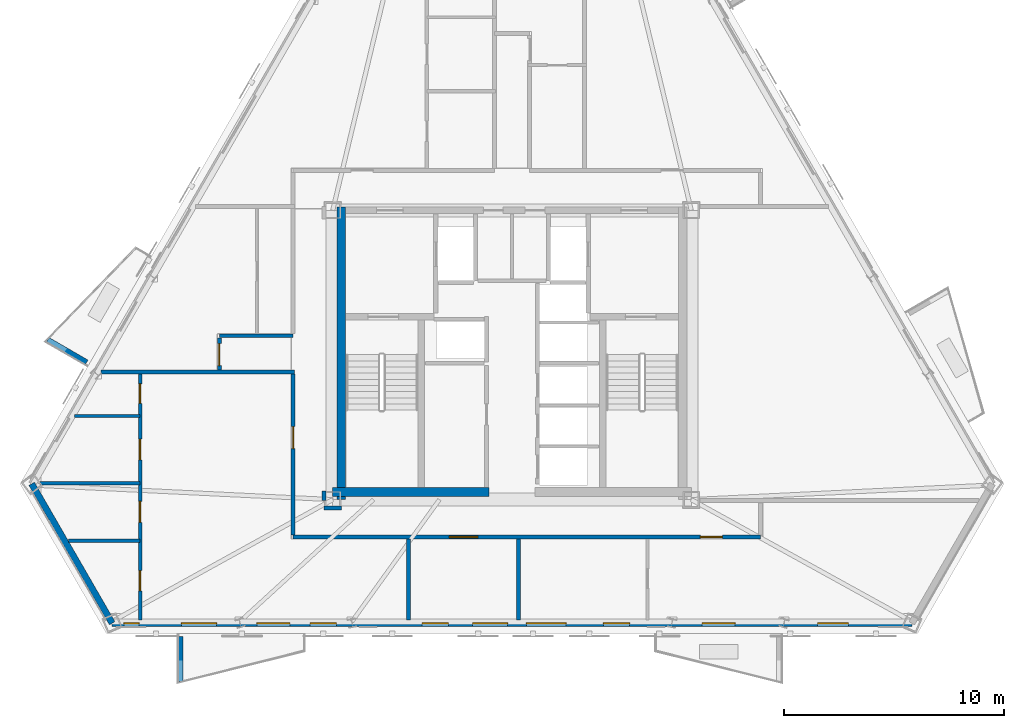
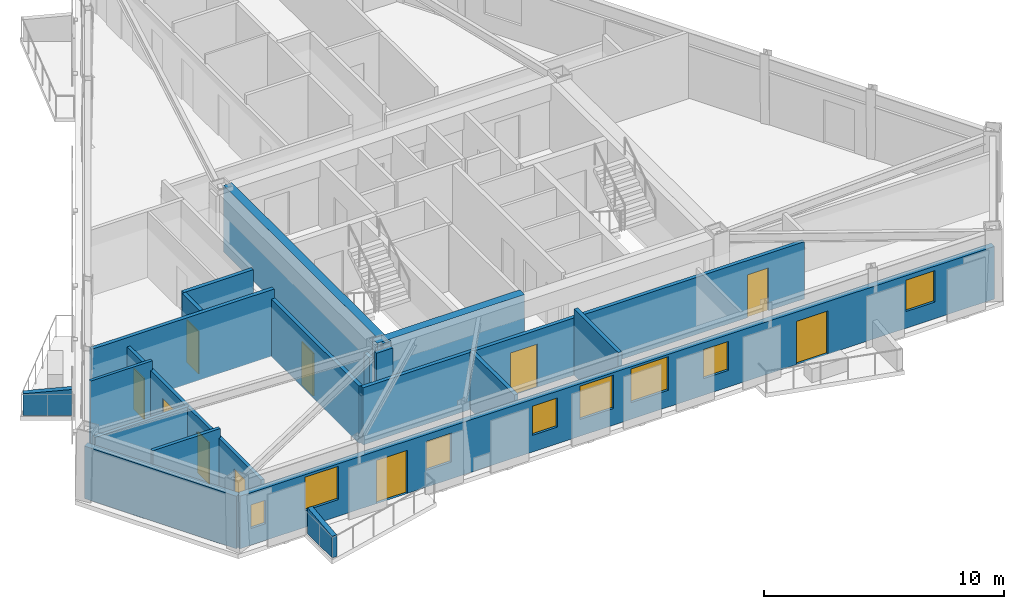
# One storey, part 2 of 9: 19 walls, 10 doors, 8 windows, 18 openings.
"""IFC4 building model written with IfcOpenShell, lengths in metres."""

from ifc_helpers import new_model, si_unit, direction, frame, frame_2d, origin, place, context, subcontext, project, spatial, polyline, rectangle, outline, extrude, material, layer, layer_set, type_object, element, fill, save


model = new_model("IFC4")

# Units and contexts
model_context = context("Model", 3, precision=1e-05, world=origin(), true_north=direction((0.0, 1.0)))
body_context = subcontext(model_context, "Body", "Model", "MODEL_VIEW")
ifc_project = project(units=[si_unit("LENGTHUNIT", "METRE"), si_unit("AREAUNIT", "SQUARE_METRE"), si_unit("VOLUMEUNIT", "CUBIC_METRE"), si_unit("PLANEANGLEUNIT", "RADIAN"), si_unit("MASSUNIT", "GRAM", prefix="KILO")], contexts=[model_context])

# Site, building, storey
site_placement = place(None, origin())
site = spatial("IfcSite", under=ifc_project, at=site_placement, CompositionType="ELEMENT")
building_placement = place(site_placement, origin())
building = spatial("IfcBuilding", under=site, at=building_placement, Name="Oramaril Tower", CompositionType="ELEMENT")
storey_placement = place(building_placement, frame((0.0, 0.0, 201.0)))
storey = spatial("IfcBuildingStorey", under=building, at=storey_placement, Name="L53", CompositionType="ELEMENT", Elevation=201.0)

# Wall
ifc_material_1 = material(Name="Warm Cream Limestone", Category="masonry")
ifc_layer_1 = layer(ifc_material_1, 0.2900390625)
ifc_layer_set_1 = layer_set([ifc_layer_1], Name="WT-EXT29")
wall_type_1 = type_object("IfcWallType", Name="WT-EXT29", PredefinedType="SOLIDWALL", material=ifc_layer_set_1)
wall_1_placement = place(storey_placement, frame((15.664794921875, 11.71875, 0.0), z_axis=(0.0, 0.0, 1.0), x_axis=(0.50001024923, -0.866019486308, 0.0)))
element("IfcWall", 1, at=wall_1_placement, inside=storey, type_object=wall_type_1, Name="L53 Tower Limestone Facade Wall 1M", PredefinedType="SOLIDWALL", context=body_context, shape_type="SweptSolid", body=[
    extrude(rectangle(XDim=7.318603515625, YDim=0.2900390625, at=frame_2d((3.6591796875, 0.0))), origin(), (0.0, 0.0, 1.0), 2.677001953125),
])

# Wall, openings, doors, windows
wall_2_placement = place(storey_placement, frame((19.32421875, 5.380615234375, 0.0), z_axis=(0.0, 0.0, 1.0), x_axis=(1.0, 0.0, 0.0)))
wall_2 = element("IfcWall", 2, at=wall_2_placement, inside=storey, type_object=wall_type_1, Name="L53 Tower Limestone Facade Wall 2M", PredefinedType="SOLIDWALL", context=body_context, shape_type="SweptSolid", body=[
    extrude(rectangle(XDim=36.3515625, YDim=0.2900390625, at=frame_2d((18.17578125, 0.0))), origin(), (0.0, 0.0, 1.0), 2.677001953125),
])
opening_1_placement = place(wall_2_placement, frame((6.579345703125, 0.0, 0.0)))
opening_1 = element("IfcOpeningElement", 3, at=opening_1_placement, cuts=wall_2, Name="Opening D-L53-BAL-S1", PredefinedType="OPENING", context=body_context, shape_type="SweptSolid", body=[
    extrude(rectangle(XDim=1.5, YDim=2.199951171875, at=frame_2d((0.75, 1.10009765625))), frame((0.0, 0.14501953125, 0.0), z_axis=(0.0, -1.0, 0.0), x_axis=(1.0, 0.0, 0.0)), (0.0, 0.0, 1.0), 0.2900390625),
])
opening_2_placement = place(wall_2_placement, frame((26.8173828125, 0.0, 0.0)))
opening_2 = element("IfcOpeningElement", 4, at=opening_2_placement, cuts=wall_2, Name="Opening D-L53-BAL-S2", PredefinedType="OPENING", context=body_context, shape_type="SweptSolid", body=[
    extrude(rectangle(XDim=1.5, YDim=2.199951171875, at=frame_2d((0.75, 1.10009765625))), frame((0.0, 0.14501953125, 0.0), z_axis=(0.0, -1.0, 0.0), x_axis=(1.0, 0.0, 0.0)), (0.0, 0.0, 1.0), 0.2900390625),
])
opening_3_placement = place(wall_2_placement, frame((14.08544921875, 0.0, 0.85009765625)))
opening_3 = element("IfcOpeningElement", 5, at=opening_3_placement, cuts=wall_2, Name="Opening WN-09", PredefinedType="OPENING", context=body_context, shape_type="SweptSolid", body=[
    extrude(rectangle(XDim=1.199951171875, YDim=1.47998046875, at=frame_2d((0.60009765625, 0.739990234375))), frame((0.0, 0.14501953125, 0.0), z_axis=(0.0, -1.0, 0.0), x_axis=(1.0, 0.0, 0.0)), (0.0, 0.0, 1.0), 0.2900390625),
])
opening_4_placement = place(wall_2_placement, frame((16.381103515625, 0.0, 0.85009765625)))
opening_4 = element("IfcOpeningElement", 6, at=opening_4_placement, cuts=wall_2, Name="Opening WN-07", PredefinedType="OPENING", context=body_context, shape_type="SweptSolid", body=[
    extrude(rectangle(XDim=1.60009765625, YDim=1.699951171875, at=frame_2d((0.800048828125, 0.85009765625))), frame((0.0, 0.14501953125, 0.0), z_axis=(0.0, -1.0, 0.0), x_axis=(1.0, 0.0, 0.0)), (0.0, 0.0, 1.0), 0.2900390625),
])
opening_5_placement = place(wall_2_placement, frame((32.071533203125, 0.0, 0.85009765625)))
opening_5 = element("IfcOpeningElement", 7, at=opening_5_placement, cuts=wall_2, Name="Opening WN-08", PredefinedType="OPENING", context=body_context, shape_type="SweptSolid", body=[
    extrude(rectangle(XDim=1.39990234375, YDim=1.60009765625, at=frame_2d((0.699951171875, 0.800048828125))), frame((0.0, 0.14501953125, 0.0), z_axis=(0.0, -1.0, 0.0), x_axis=(1.0, 0.0, 0.0)), (0.0, 0.0, 1.0), 0.2900390625),
])
opening_6_placement = place(wall_2_placement, frame((18.834228515625, 0.0, 0.85009765625)))
opening_6 = element("IfcOpeningElement", 8, at=opening_6_placement, cuts=wall_2, Name="Opening WN-06", PredefinedType="OPENING", context=body_context, shape_type="SweptSolid", body=[
    extrude(rectangle(XDim=1.800048828125, YDim=1.717041015625, at=frame_2d((0.89990234375, 0.8583984375))), frame((0.0, 0.14501953125, 0.0), z_axis=(0.0, -1.0, 0.0), x_axis=(1.0, 0.0, 0.0)), (0.0, 0.0, 1.0), 0.2900390625),
])
opening_7_placement = place(wall_2_placement, frame((22.32470703125, 0.0, 0.85009765625)))
opening_7 = element("IfcOpeningElement", 9, at=opening_7_placement, cuts=wall_2, Name="Opening WN-09", PredefinedType="OPENING", context=body_context, shape_type="SweptSolid", body=[
    extrude(rectangle(XDim=1.199951171875, YDim=1.47998046875, at=frame_2d((0.60009765625, 0.739990234375))), frame((0.0, 0.14501953125, 0.0), z_axis=(0.0, -1.0, 0.0), x_axis=(1.0, 0.0, 0.0)), (0.0, 0.0, 1.0), 0.2900390625),
])
opening_8_placement = place(wall_2_placement, frame((3.14453125, 0.0, 0.85009765625)))
opening_8 = element("IfcOpeningElement", 10, at=opening_8_placement, cuts=wall_2, Name="Opening WN-07", PredefinedType="OPENING", context=body_context, shape_type="SweptSolid", body=[
    extrude(rectangle(XDim=1.60009765625, YDim=1.699951171875, at=frame_2d((0.800048828125, 0.85009765625))), frame((0.0, 0.14501953125, 0.0), z_axis=(0.0, -1.0, 0.0), x_axis=(1.0, 0.0, 0.0)), (0.0, 0.0, 1.0), 0.2900390625),
])
opening_9_placement = place(wall_2_placement, frame((8.996826171875, 0.0, 0.85009765625)))
opening_9 = element("IfcOpeningElement", 11, at=opening_9_placement, cuts=wall_2, Name="Opening WN-09", PredefinedType="OPENING", context=body_context, shape_type="SweptSolid", body=[
    extrude(rectangle(XDim=1.199951171875, YDim=1.47998046875, at=frame_2d((0.60009765625, 0.739990234375))), frame((0.0, 0.14501953125, 0.0), z_axis=(0.0, -1.0, 0.0), x_axis=(1.0, 0.0, 0.0)), (0.0, 0.0, 1.0), 0.2900390625),
])
opening_10_placement = place(wall_2_placement, frame((0.530029296875, 0.0, 0.85009765625)))
opening_10 = element("IfcOpeningElement", 12, at=opening_10_placement, cuts=wall_2, Name="Opening WN-14", PredefinedType="OPENING", context=body_context, shape_type="SweptSolid", body=[
    extrude(rectangle(XDim=0.699951171875, YDim=1.199951171875, at=frame_2d((0.35009765625, 0.60009765625))), frame((0.0, 0.14501953125, 0.0), z_axis=(0.0, -1.0, 0.0), x_axis=(1.0, 0.0, 0.0)), (0.0, 0.0, 1.0), 0.2900390625),
])
ifc_material_2 = material(Name="Anodised Aluminium 6063-T6", Category="aluminium")
door_type_1 = type_object("IfcDoorType", Name="DT-BAL", OperationType="NOTDEFINED", PredefinedType="DOOR", material=ifc_material_2)
door_1_placement = place(opening_1_placement, origin())
door_1 = element("IfcDoor", 13, at=door_1_placement, inside=storey, type_object=door_type_1, Name="L53 Balcony Glazed Door L53-BAL-S1", OperationType="SINGLE_SWING_RIGHT", OverallHeight=2.199951171875, OverallWidth=1.5, PredefinedType="DOOR", context=body_context, shape_type="SweptSolid", body=[
    extrude(rectangle(XDim=1.5, YDim=2.199951171875, at=frame_2d((0.75, 1.10009765625))), frame((0.0, 0.02490234375, 0.0), z_axis=(0.0, -1.0, 0.0), x_axis=(1.0, 0.0, 0.0)), (0.0, 0.0, 1.0), 0.050048828125),
])
fill(opening_1, door_1)
door_2_placement = place(opening_2_placement, origin())
door_2 = element("IfcDoor", 14, at=door_2_placement, inside=storey, type_object=door_type_1, Name="L53 Balcony Glazed Door L53-BAL-S2", OperationType="SINGLE_SWING_LEFT", OverallHeight=2.199951171875, OverallWidth=1.5, PredefinedType="DOOR", context=body_context, shape_type="SweptSolid", body=[
    extrude(rectangle(XDim=1.5, YDim=2.199951171875, at=frame_2d((0.75, 1.10009765625))), frame((0.0, 0.02490234375, 0.0), z_axis=(0.0, -1.0, 0.0), x_axis=(1.0, 0.0, 0.0)), (0.0, 0.0, 1.0), 0.050048828125),
])
fill(opening_2, door_2)
ifc_material_3 = material(Name="Coastal Low-E Insulated Glass", Category="glass")
window_type_1 = type_object("IfcWindowType", Name="WNT-06", PartitioningType="SINGLE_PANEL", PredefinedType="WINDOW", material=ifc_material_3)
window_1_placement = place(opening_6_placement, origin())
window_1 = element("IfcWindow", 15, at=window_1_placement, inside=storey, type_object=window_type_1, Name="L53 Chicago Bay Window WN-06", OverallHeight=1.717041015625, OverallWidth=1.800048828125, PartitioningType="SINGLE_PANEL", PredefinedType="WINDOW", context=body_context, shape_type="SweptSolid", body=[
    extrude(rectangle(XDim=1.800048828125, YDim=1.717041015625, at=frame_2d((0.89990234375, 0.8583984375))), frame((0.0, 0.030029296875, 0.0), z_axis=(0.0, -1.0, 0.0), x_axis=(1.0, 0.0, 0.0)), (0.0, 0.0, 1.0), 0.06005859375),
])
fill(opening_6, window_1)
ifc_material_4 = material(Name="Coastal Low-E Insulated Glass", Category="glass")
window_type_2 = type_object("IfcWindowType", Name="WNT-07", PartitioningType="SINGLE_PANEL", PredefinedType="WINDOW", material=ifc_material_4)
window_2_placement = place(opening_4_placement, origin())
window_2 = element("IfcWindow", 16, at=window_2_placement, inside=storey, type_object=window_type_2, Name="L53 Chicago Bay Window WN-07", OverallHeight=1.699951171875, OverallWidth=1.60009765625, PartitioningType="SINGLE_PANEL", PredefinedType="WINDOW", context=body_context, shape_type="SweptSolid", body=[
    extrude(rectangle(XDim=1.60009765625, YDim=1.699951171875, at=frame_2d((0.800048828125, 0.85009765625))), frame((0.0, 0.030029296875, 0.0), z_axis=(0.0, -1.0, 0.0), x_axis=(1.0, 0.0, 0.0)), (0.0, 0.0, 1.0), 0.06005859375),
])
fill(opening_4, window_2)
window_3_placement = place(opening_8_placement, origin())
window_3 = element("IfcWindow", 17, at=window_3_placement, inside=storey, type_object=window_type_2, Name="L53 Chicago Bay Window WN-07", OverallHeight=1.699951171875, OverallWidth=1.60009765625, PartitioningType="SINGLE_PANEL", PredefinedType="WINDOW", context=body_context, shape_type="SweptSolid", body=[
    extrude(rectangle(XDim=1.60009765625, YDim=1.699951171875, at=frame_2d((0.800048828125, 0.85009765625))), frame((0.0, 0.030029296875, 0.0), z_axis=(0.0, -1.0, 0.0), x_axis=(1.0, 0.0, 0.0)), (0.0, 0.0, 1.0), 0.06005859375),
])
fill(opening_8, window_3)
ifc_material_5 = material(Name="Coastal Low-E Insulated Glass", Category="glass")
window_type_3 = type_object("IfcWindowType", Name="WNT-08", PartitioningType="SINGLE_PANEL", PredefinedType="WINDOW", material=ifc_material_5)
window_4_placement = place(opening_5_placement, origin())
window_4 = element("IfcWindow", 18, at=window_4_placement, inside=storey, type_object=window_type_3, Name="L53 Chicago Bay Window WN-08", OverallHeight=1.60009765625, OverallWidth=1.39990234375, PartitioningType="SINGLE_PANEL", PredefinedType="WINDOW", context=body_context, shape_type="SweptSolid", body=[
    extrude(rectangle(XDim=1.39990234375, YDim=1.60009765625, at=frame_2d((0.699951171875, 0.800048828125))), frame((0.0, 0.030029296875, 0.0), z_axis=(0.0, -1.0, 0.0), x_axis=(1.0, 0.0, 0.0)), (0.0, 0.0, 1.0), 0.06005859375),
])
fill(opening_5, window_4)
ifc_material_6 = material(Name="Coastal Low-E Insulated Glass", Category="glass")
window_type_4 = type_object("IfcWindowType", Name="WNT-09", PartitioningType="SINGLE_PANEL", PredefinedType="WINDOW", material=ifc_material_6)
window_5_placement = place(opening_3_placement, origin())
window_5 = element("IfcWindow", 19, at=window_5_placement, inside=storey, type_object=window_type_4, Name="L53 Chicago Bay Window WN-09", OverallHeight=1.47998046875, OverallWidth=1.199951171875, PartitioningType="SINGLE_PANEL", PredefinedType="WINDOW", context=body_context, shape_type="SweptSolid", body=[
    extrude(rectangle(XDim=1.199951171875, YDim=1.47998046875, at=frame_2d((0.60009765625, 0.739990234375))), frame((0.0, 0.030029296875, 0.0), z_axis=(0.0, -1.0, 0.0), x_axis=(1.0, 0.0, 0.0)), (0.0, 0.0, 1.0), 0.06005859375),
])
fill(opening_3, window_5)
window_6_placement = place(opening_7_placement, origin())
window_6 = element("IfcWindow", 20, at=window_6_placement, inside=storey, type_object=window_type_4, Name="L53 Chicago Bay Window WN-09", OverallHeight=1.47998046875, OverallWidth=1.199951171875, PartitioningType="SINGLE_PANEL", PredefinedType="WINDOW", context=body_context, shape_type="SweptSolid", body=[
    extrude(rectangle(XDim=1.199951171875, YDim=1.47998046875, at=frame_2d((0.60009765625, 0.739990234375))), frame((0.0, 0.030029296875, 0.0), z_axis=(0.0, -1.0, 0.0), x_axis=(1.0, 0.0, 0.0)), (0.0, 0.0, 1.0), 0.06005859375),
])
fill(opening_7, window_6)
window_7_placement = place(opening_9_placement, origin())
window_7 = element("IfcWindow", 21, at=window_7_placement, inside=storey, type_object=window_type_4, Name="L53 Chicago Bay Window WN-09", OverallHeight=1.47998046875, OverallWidth=1.199951171875, PartitioningType="SINGLE_PANEL", PredefinedType="WINDOW", context=body_context, shape_type="SweptSolid", body=[
    extrude(rectangle(XDim=1.199951171875, YDim=1.47998046875, at=frame_2d((0.60009765625, 0.739990234375))), frame((0.0, 0.030029296875, 0.0), z_axis=(0.0, -1.0, 0.0), x_axis=(1.0, 0.0, 0.0)), (0.0, 0.0, 1.0), 0.06005859375),
])
fill(opening_9, window_7)
ifc_material_7 = material(Name="Coastal Low-E Insulated Glass", Category="glass")
window_type_5 = type_object("IfcWindowType", Name="WNT-14", PartitioningType="SINGLE_PANEL", PredefinedType="WINDOW", material=ifc_material_7)
window_8_placement = place(opening_10_placement, origin())
window_8 = element("IfcWindow", 22, at=window_8_placement, inside=storey, type_object=window_type_5, Name="L53 Apartment Bedroom Window WN-14", OverallHeight=1.199951171875, OverallWidth=0.699951171875, PartitioningType="SINGLE_PANEL", PredefinedType="WINDOW", context=body_context, shape_type="SweptSolid", body=[
    extrude(rectangle(XDim=0.699951171875, YDim=1.199951171875, at=frame_2d((0.35009765625, 0.60009765625))), frame((0.0, 0.030029296875, 0.0), z_axis=(0.0, -1.0, 0.0), x_axis=(1.0, 0.0, 0.0)), (0.0, 0.0, 1.0), 0.06005859375),
])
fill(opening_10, window_8)

# Walls
ifc_material_8 = material(Name="Concrete C40/50", Category="concrete")
ifc_layer_2 = layer(ifc_material_8, 0.22998046875)
ifc_layer_set_2 = layer_set([ifc_layer_2], Name="WT-PRP23")
wall_type_2 = type_object("IfcWallType", Name="WT-PRP23", PredefinedType="PARAPET", material=ifc_layer_set_2)
for number, where, z_axis, x_axis, name in (
    (23, (22.4384765625, 4.78271484375, 0.0), (0.0, 0.0, 1.0), (0.0, -1.0, 0.0), "L53 Trapezoidal Balcony Frame Cheek L53-BAL-S1-L"),
    (24, (18.16650390625, 17.248046875, 0.0), (0.0, 0.0, 1.0), (-0.866012356593, 0.500022597718, 0.0), "L53 Trapezoidal Balcony Frame Cheek L53-BAL-NW2-R"),
):
    element("IfcWall", number, at=place(storey_placement, frame(where, z_axis=z_axis, x_axis=x_axis)), inside=storey, type_object=wall_type_2, Name=name, PredefinedType="PARAPET", context=body_context, shape_type="SweptSolid", body=[
        extrude(outline(polyline([(0.0, 0.0), (2.0419921875, 0.0), (2.0419921875, 1.10009765625), (0.0, 1.320068359375), (0.0, 0.0)])), frame((0.0, 0.114990234375, 0.0), z_axis=(0.0, -1.0, 0.0), x_axis=(1.0, 0.0, 0.0)), (0.0, 0.0, 1.0), 0.22998046875),
    ])
ifc_material_9 = material(Name="Acoustic Gypsum Board Partition")
ifc_layer_3 = layer(ifc_material_9, 0.139892578125)
ifc_layer_set_3 = layer_set([ifc_layer_3], Name="WT-PT14")
wall_type_3 = type_object("IfcWallType", Name="WT-PT14", PredefinedType="PARTITIONING", material=ifc_layer_set_3)
wall_3_placement = place(storey_placement, frame((17.61572265625, 14.800048828125, 0.0), z_axis=(0.0, 0.0, 1.0), x_axis=(1.0, 0.0, 0.0)))
element("IfcWall", 25, at=wall_3_placement, inside=storey, type_object=wall_type_3, Name="L53 Interior Partition PT-14", PredefinedType="PARTITIONING", context=body_context, shape_type="SweptSolid", body=[
    extrude(rectangle(XDim=2.9716796875, YDim=0.139892578125, at=frame_2d((1.48583984375, 0.0))), origin(), (0.0, 0.0, 1.0), 3.3798828125),
])
ifc_material_10 = material(Name="Acoustic Gypsum Board Partition")
ifc_layer_4 = layer(ifc_material_10, 0.159912109375)
ifc_layer_set_4 = layer_set([ifc_layer_4], Name="WT-PT16")
wall_type_4 = type_object("IfcWallType", Name="WT-PT16", PredefinedType="PARTITIONING", material=ifc_layer_set_4)
wall_4_placement = place(storey_placement, frame((17.331298828125, 9.1298828125, 0.0), z_axis=(0.0, 0.0, 1.0), x_axis=(1.0, 0.0, 0.0)))
element("IfcWall", 26, at=wall_4_placement, inside=storey, type_object=wall_type_4, Name="L53 Interior Partition PT-16", PredefinedType="PARTITIONING", context=body_context, shape_type="SweptSolid", body=[
    extrude(rectangle(XDim=3.256103515625, YDim=0.159912109375, at=frame_2d((1.6279296875, 0.0))), origin(), (0.0, 0.0, 1.0), 3.3798828125),
])
wall_5_placement = place(storey_placement, frame((16.05224609375, 11.75, 0.0), z_axis=(0.0, 0.0, 1.0), x_axis=(1.0, 0.0, 0.0)))
element("IfcWall", 27, at=wall_5_placement, inside=storey, type_object=wall_type_4, Name="L53 Interior Partition PT-16", PredefinedType="PARTITIONING", context=body_context, shape_type="SweptSolid", body=[
    extrude(rectangle(XDim=4.53515625, YDim=0.159912109375, at=frame_2d((2.267578125, 0.0))), origin(), (0.0, 0.0, 1.0), 2.9130859375),
])

# Wall, openings, doors
wall_6_placement = place(storey_placement, frame((20.590087890625, 5.52978515625, 0.0), z_axis=(0.0, 0.0, 1.0), x_axis=(0.0, 1.0, 0.0)))
wall_6 = element("IfcWall", 28, at=wall_6_placement, inside=storey, type_object=wall_type_4, Name="L53 Interior Partition PT-16", PredefinedType="PARTITIONING", context=body_context, shape_type="SweptSolid", body=[
    extrude(rectangle(XDim=11.17626953125, YDim=0.159912109375, at=frame_2d((5.588134765625, 0.0))), origin(), (0.0, 0.0, 1.0), 2.9130859375),
])
opening_11_placement = place(wall_6_placement, frame((1.32470703125, 0.0, 0.0)))
opening_11 = element("IfcOpeningElement", 29, at=opening_11_placement, cuts=wall_6, Name="Opening D-L53-07", PredefinedType="OPENING", context=body_context, shape_type="SweptSolid", body=[
    extrude(rectangle(XDim=0.919921875, YDim=2.1201171875, at=frame_2d((0.4599609375, 1.06005859375))), frame((0.0, 0.080078125, 0.0), z_axis=(0.0, -1.0, 0.0), x_axis=(1.0, 0.0, 0.0)), (0.0, 0.0, 1.0), 0.159912109375),
])
opening_12_placement = place(wall_6_placement, frame((4.4365234375, 0.0, 0.0)))
opening_12 = element("IfcOpeningElement", 30, at=opening_12_placement, cuts=wall_6, Name="Opening D-L53-08", PredefinedType="OPENING", context=body_context, shape_type="SweptSolid", body=[
    extrude(rectangle(XDim=0.949951171875, YDim=2.10009765625, at=frame_2d((0.47509765625, 1.050048828125))), frame((0.0, 0.080078125, 0.0), z_axis=(0.0, -1.0, 0.0), x_axis=(1.0, 0.0, 0.0)), (0.0, 0.0, 1.0), 0.159912109375),
])
opening_13_placement = place(wall_6_placement, frame((7.27490234375, 0.0, 0.0)))
opening_13 = element("IfcOpeningElement", 31, at=opening_13_placement, cuts=wall_6, Name="Opening D-L53-09", PredefinedType="OPENING", context=body_context, shape_type="SweptSolid", body=[
    extrude(rectangle(XDim=0.949951171875, YDim=2.10009765625, at=frame_2d((0.47509765625, 1.050048828125))), frame((0.0, 0.080078125, 0.0), z_axis=(0.0, -1.0, 0.0), x_axis=(1.0, 0.0, 0.0)), (0.0, 0.0, 1.0), 0.159912109375),
])
opening_14_placement = place(wall_6_placement, frame((9.84765625, 0.0, 0.0)))
opening_14 = element("IfcOpeningElement", 32, at=opening_14_placement, cuts=wall_6, Name="Opening D-L53-10", PredefinedType="OPENING", context=body_context, shape_type="SweptSolid", body=[
    extrude(rectangle(XDim=0.8798828125, YDim=2.080078125, at=frame_2d((0.43994140625, 1.0400390625))), frame((0.0, 0.080078125, 0.0), z_axis=(0.0, -1.0, 0.0), x_axis=(1.0, 0.0, 0.0)), (0.0, 0.0, 1.0), 0.159912109375),
])
ifc_material_11 = material(Name="FSC Brazilian Freijo Hardwood", Category="wood")
door_type_2 = type_object("IfcDoorType", Name="DT-BATH", OperationType="NOTDEFINED", PredefinedType="DOOR", material=ifc_material_11)
door_3_placement = place(opening_14_placement, origin())
door_3 = element("IfcDoor", 33, at=door_3_placement, inside=storey, type_object=door_type_2, Name="L53 Flat L53-U2 Bathroom Door D-L53-10", OperationType="SINGLE_SWING_RIGHT", OverallHeight=2.080078125, OverallWidth=0.8798828125, PredefinedType="DOOR", context=body_context, shape_type="SweptSolid", body=[
    extrude(rectangle(XDim=0.8798828125, YDim=2.080078125, at=frame_2d((0.43994140625, 1.0400390625))), frame((0.0, 0.02490234375, 0.0), z_axis=(0.0, -1.0, 0.0), x_axis=(1.0, 0.0, 0.0)), (0.0, 0.0, 1.0), 0.050048828125),
])
fill(opening_14, door_3)
ifc_material_12 = material(Name="FSC Brazilian Freijo Hardwood", Category="wood")
door_type_3 = type_object("IfcDoorType", Name="DT-BED", OperationType="NOTDEFINED", PredefinedType="DOOR", material=ifc_material_12)
door_4_placement = place(opening_11_placement, origin())
door_4 = element("IfcDoor", 34, at=door_4_placement, inside=storey, type_object=door_type_3, Name="L53 Flat L53-U2 Master Bedroom Door D-L53-07", OperationType="SINGLE_SWING_LEFT", OverallHeight=2.1201171875, OverallWidth=0.919921875, PredefinedType="DOOR", context=body_context, shape_type="SweptSolid", body=[
    extrude(rectangle(XDim=0.919921875, YDim=2.1201171875, at=frame_2d((0.4599609375, 1.06005859375))), frame((0.0, 0.02490234375, 0.0), z_axis=(0.0, -1.0, 0.0), x_axis=(1.0, 0.0, 0.0)), (0.0, 0.0, 1.0), 0.050048828125),
])
fill(opening_11, door_4)
ifc_material_13 = material(Name="FSC Brazilian Freijo Hardwood", Category="wood")
door_type_4 = type_object("IfcDoorType", Name="DT-STDY", OperationType="NOTDEFINED", PredefinedType="DOOR", material=ifc_material_13)
door_5_placement = place(opening_12_placement, origin())
door_5 = element("IfcDoor", 35, at=door_5_placement, inside=storey, type_object=door_type_4, Name="L53 Flat L53-U2 Dining Room Door D-L53-08", OperationType="SINGLE_SWING_RIGHT", OverallHeight=2.10009765625, OverallWidth=0.949951171875, PredefinedType="DOOR", context=body_context, shape_type="SweptSolid", body=[
    extrude(rectangle(XDim=0.949951171875, YDim=2.10009765625, at=frame_2d((0.47509765625, 1.050048828125))), frame((0.0, 0.02490234375, 0.0), z_axis=(0.0, -1.0, 0.0), x_axis=(1.0, 0.0, 0.0)), (0.0, 0.0, 1.0), 0.050048828125),
])
fill(opening_12, door_5)
door_6_placement = place(opening_13_placement, origin())
door_6 = element("IfcDoor", 36, at=door_6_placement, inside=storey, type_object=door_type_4, Name="L53 Flat L53-U2 Kitchen Door D-L53-09", OperationType="SINGLE_SWING_LEFT", OverallHeight=2.10009765625, OverallWidth=0.949951171875, PredefinedType="DOOR", context=body_context, shape_type="SweptSolid", body=[
    extrude(rectangle(XDim=0.949951171875, YDim=2.10009765625, at=frame_2d((0.47509765625, 1.050048828125))), frame((0.0, 0.02490234375, 0.0), z_axis=(0.0, -1.0, 0.0), x_axis=(1.0, 0.0, 0.0)), (0.0, 0.0, 1.0), 0.050048828125),
])
fill(opening_13, door_6)

ifc_material_14 = material(Name="Autoclaved Cellular Concrete Block", Category="concrete")
ifc_layer_5 = layer(ifc_material_14, 0.179931640625)
ifc_layer_set_5 = layer_set([ifc_layer_5], Name="WT-PT18")
wall_type_5 = type_object("IfcWallType", Name="WT-PT18", PredefinedType="PARTITIONING", material=ifc_layer_set_5)
wall_7_placement = place(storey_placement, frame((27.550048828125, 9.300048828125, 0.0), z_axis=(0.0, 0.0, 1.0), x_axis=(1.0, 0.0, 0.0)))
wall_7 = element("IfcWall", 37, at=wall_7_placement, inside=storey, type_object=wall_type_5, Name="L53 Interior Partition PT-18", PredefinedType="PARTITIONING", context=body_context, shape_type="SweptSolid", body=[
    extrude(rectangle(XDim=21.25, YDim=0.179931640625, at=frame_2d((10.625, 0.0))), origin(), (0.0, 0.0, 1.0), 2.9130859375),
])
opening_15_placement = place(wall_7_placement, frame((7.10009765625, 0.0, 0.0)))
opening_15 = element("IfcOpeningElement", 38, at=opening_15_placement, cuts=wall_7, Name="Opening D-L53-01", PredefinedType="OPENING", context=body_context, shape_type="SweptSolid", body=[
    extrude(rectangle(XDim=1.300048828125, YDim=2.199951171875, at=frame_2d((0.64990234375, 1.10009765625))), frame((0.0, 0.08984375, 0.0), z_axis=(0.0, -1.0, 0.0), x_axis=(1.0, 0.0, 0.0)), (0.0, 0.0, 1.0), 0.179931640625),
])
opening_16_placement = place(wall_7_placement, frame((18.51904296875, 0.0, 0.0)))
opening_16 = element("IfcOpeningElement", 39, at=opening_16_placement, cuts=wall_7, Name="Opening D-L53-02", PredefinedType="OPENING", context=body_context, shape_type="SweptSolid", body=[
    extrude(rectangle(XDim=1.0, YDim=2.179931640625, at=frame_2d((0.5, 1.08984375))), frame((0.0, 0.08984375, 0.0), z_axis=(0.0, -1.0, 0.0), x_axis=(1.0, 0.0, 0.0)), (0.0, 0.0, 1.0), 0.179931640625),
])
ifc_material_15 = material(Name="FSC Brazilian Freijo Hardwood", Category="wood")
door_type_5 = type_object("IfcDoorType", Name="DT-APT", OperationType="NOTDEFINED", PredefinedType="DOOR", material=ifc_material_15)
door_7_placement = place(opening_16_placement, origin())
door_7 = element("IfcDoor", 40, at=door_7_placement, inside=storey, type_object=door_type_5, Name="L53 Flat L53-U1 Kitchen and Studio Apartment Door D-L53-02", OperationType="SINGLE_SWING_RIGHT", OverallHeight=2.179931640625, OverallWidth=1.0, PredefinedType="DOOR", context=body_context, shape_type="SweptSolid", body=[
    extrude(rectangle(XDim=1.0, YDim=2.179931640625, at=frame_2d((0.5, 1.08984375))), frame((0.0, 0.02490234375, 0.0), z_axis=(0.0, -1.0, 0.0), x_axis=(1.0, 0.0, 0.0)), (0.0, 0.0, 1.0), 0.050048828125),
])
fill(opening_16, door_7)
ifc_material_16 = material(Name="FSC Brazilian Freijo Hardwood", Category="wood")
door_type_6 = type_object("IfcDoorType", Name="DT-COM", OperationType="NOTDEFINED", PredefinedType="DOOR", material=ifc_material_16)
door_8_placement = place(opening_15_placement, origin())
door_8 = element("IfcDoor", 41, at=door_8_placement, inside=storey, type_object=door_type_6, Name="L53 L53 Residents Floor Meeting Suite Door D-L53-01", OperationType="SINGLE_SWING_LEFT", OverallHeight=2.199951171875, OverallWidth=1.300048828125, PredefinedType="DOOR", context=body_context, shape_type="SweptSolid", body=[
    extrude(rectangle(XDim=1.300048828125, YDim=2.199951171875, at=frame_2d((0.64990234375, 1.10009765625))), frame((0.0, 0.02490234375, 0.0), z_axis=(0.0, -1.0, 0.0), x_axis=(1.0, 0.0, 0.0)), (0.0, 0.0, 1.0), 0.050048828125),
])
fill(opening_15, door_8)

# Walls
wall_8_placement = place(storey_placement, frame((28.9599609375, 10.610107421875, 0.0), z_axis=(0.0, 0.0, 1.0), x_axis=(1.0, 0.0, 0.0)))
element("IfcWall", 42, at=wall_8_placement, inside=storey, type_object=wall_type_5, Name="L53 Interior Partition PT-18", PredefinedType="PARTITIONING", context=body_context, shape_type="SweptSolid", body=[
    extrude(rectangle(XDim=0.780029296875, YDim=0.179931640625, at=frame_2d((0.39013671875, 0.0))), origin(), (0.0, 0.0, 1.0), 3.3798828125),
])
wall_9_placement = place(storey_placement, frame((18.8056640625, 16.800048828125, 0.0), z_axis=(0.0, 0.0, 1.0), x_axis=(1.0, 0.0, 0.0)))
element("IfcWall", 43, at=wall_9_placement, inside=storey, type_object=wall_type_5, Name="L53 Interior Partition PT-18", PredefinedType="PARTITIONING", context=body_context, shape_type="SweptSolid", body=[
    extrude(rectangle(XDim=8.804443359375, YDim=0.179931640625, at=frame_2d((4.40234375, 0.0))), origin(), (0.0, 0.0, 1.0), 3.3798828125),
])
wall_10_placement = place(storey_placement, frame((24.199951171875, 18.449951171875, 0.0), z_axis=(0.0, 0.0, 1.0), x_axis=(1.0, 0.0, 0.0)))
element("IfcWall", 44, at=wall_10_placement, inside=storey, type_object=wall_type_5, Name="L53 Interior Partition PT-18", PredefinedType="PARTITIONING", context=body_context, shape_type="SweptSolid", body=[
    extrude(rectangle(XDim=3.35009765625, YDim=0.179931640625, at=frame_2d((1.675048828125, 0.0))), origin(), (0.0, 0.0, 1.0), 3.3798828125),
])

# Wall, opening, door
wall_11_placement = place(storey_placement, frame((24.199951171875, 16.89404296875, 0.0), z_axis=(0.0, 0.0, 1.0), x_axis=(0.0, 1.0, 0.0)))
wall_11 = element("IfcWall", 45, at=wall_11_placement, inside=storey, type_object=wall_type_5, Name="L53 Interior Partition PT-18", PredefinedType="PARTITIONING", context=body_context, shape_type="SweptSolid", body=[
    extrude(rectangle(XDim=1.4619140625, YDim=0.179931640625, at=frame_2d((0.73095703125, 0.0))), origin(), (0.0, 0.0, 1.0), 3.3798828125),
])
opening_17_placement = place(wall_11_placement, frame((0.20263671875, 0.0, 0.0)))
opening_17 = element("IfcOpeningElement", 46, at=opening_17_placement, cuts=wall_11, Name="Opening D-L53-11", PredefinedType="OPENING", context=body_context, shape_type="SweptSolid", body=[
    extrude(rectangle(XDim=1.0, YDim=2.179931640625, at=frame_2d((0.5, 1.08984375))), frame((0.0, 0.08984375, 0.0), z_axis=(0.0, -1.0, 0.0), x_axis=(1.0, 0.0, 0.0)), (0.0, 0.0, 1.0), 0.179931640625),
])
door_9_placement = place(opening_17_placement, origin())
door_9 = element("IfcDoor", 47, at=door_9_placement, inside=storey, type_object=door_type_5, Name="L53 Flat L53-U3 Kitchen and Studio Apartment Door D-L53-11", OperationType="SINGLE_SWING_LEFT", OverallHeight=2.179931640625, OverallWidth=1.0, PredefinedType="DOOR", context=body_context, shape_type="SweptSolid", body=[
    extrude(rectangle(XDim=1.0, YDim=2.179931640625, at=frame_2d((0.5, 1.08984375))), frame((0.0, 0.02490234375, 0.0), z_axis=(0.0, -1.0, 0.0), x_axis=(1.0, 0.0, 0.0)), (0.0, 0.0, 1.0), 0.050048828125),
])
fill(opening_17, door_9)

wall_12_placement = place(storey_placement, frame((27.550048828125, 9.39404296875, 0.0), z_axis=(0.0, 0.0, 1.0), x_axis=(0.0, 1.0, 0.0)))
wall_12 = element("IfcWall", 48, at=wall_12_placement, inside=storey, type_object=wall_type_5, Name="L53 Interior Partition PT-18", PredefinedType="PARTITIONING", context=body_context, shape_type="SweptSolid", body=[
    extrude(rectangle(XDim=7.31201171875, YDim=0.179931640625, at=frame_2d((3.656005859375, 0.0))), origin(), (0.0, 0.0, 1.0), 2.9130859375),
])
opening_18_placement = place(wall_12_placement, frame((3.927490234375, 0.0, 0.0)))
opening_18 = element("IfcOpeningElement", 49, at=opening_18_placement, cuts=wall_12, Name="Opening D-L53-13", PredefinedType="OPENING", context=body_context, shape_type="SweptSolid", body=[
    extrude(rectangle(XDim=1.0, YDim=2.179931640625, at=frame_2d((0.5, 1.08984375))), frame((0.0, 0.08984375, 0.0), z_axis=(0.0, -1.0, 0.0), x_axis=(1.0, 0.0, 0.0)), (0.0, 0.0, 1.0), 0.179931640625),
])
door_10_placement = place(opening_18_placement, origin())
door_10 = element("IfcDoor", 50, at=door_10_placement, inside=storey, type_object=door_type_5, Name="L53 Flat L53-U2 Penthouse Living and Dining Room Door D-L53-13", OperationType="SINGLE_SWING_LEFT", OverallHeight=2.179931640625, OverallWidth=1.0, PredefinedType="DOOR", context=body_context, shape_type="SweptSolid", body=[
    extrude(rectangle(XDim=1.0, YDim=2.179931640625, at=frame_2d((0.5, 1.08984375))), frame((0.0, 0.02490234375, 0.0), z_axis=(0.0, -1.0, 0.0), x_axis=(1.0, 0.0, 0.0)), (0.0, 0.0, 1.0), 0.050048828125),
])
fill(opening_18, door_10)

# Walls
wall_13_placement = place(storey_placement, frame((28.949951171875, 10.949951171875, 0.0), z_axis=(0.0, 0.0, 1.0), x_axis=(0.0, 1.0, 0.0)))
element("IfcWall", 51, at=wall_13_placement, inside=storey, type_object=wall_type_5, Name="L53 Interior Partition PT-18", PredefinedType="PARTITIONING", context=body_context, shape_type="SweptSolid", body=[
    extrude(rectangle(XDim=0.445068359375, YDim=0.179931640625, at=frame_2d((0.22265625, 0.0))), origin(), (0.0, 0.0, 1.0), 2.9130859375),
])
wall_14_placement = place(storey_placement, frame((32.800048828125, 5.52978515625, 0.0), z_axis=(0.0, 0.0, 1.0), x_axis=(0.0, 1.0, 0.0)))
element("IfcWall", 52, at=wall_14_placement, inside=storey, type_object=wall_type_5, Name="L53 Interior Partition PT-18", PredefinedType="PARTITIONING", context=body_context, shape_type="SweptSolid", body=[
    extrude(rectangle(XDim=3.67626953125, YDim=0.179931640625, at=frame_2d((1.838134765625, 0.0))), origin(), (0.0, 0.0, 1.0), 2.966064453125),
])
wall_15_placement = place(storey_placement, frame((37.800048828125, 5.52978515625, 0.0), z_axis=(0.0, 0.0, 1.0), x_axis=(0.0, 1.0, 0.0)))
element("IfcWall", 53, at=wall_15_placement, inside=storey, type_object=wall_type_5, Name="L53 Interior Partition PT-18", PredefinedType="PARTITIONING", context=body_context, shape_type="SweptSolid", body=[
    extrude(rectangle(XDim=3.67626953125, YDim=0.179931640625, at=frame_2d((1.838134765625, 0.0))), origin(), (0.0, 0.0, 1.0), 3.3798828125),
])
ifc_material_17 = material(Name="Concrete C50/60", Category="concrete")
ifc_layer_6 = layer(ifc_material_17, 0.39990234375)
ifc_layer_set_6 = layer_set([ifc_layer_6], Name="WT-SH40")
wall_type_6 = type_object("IfcWallType", Name="WT-SH40", PredefinedType="SHEAR", material=ifc_layer_set_6)
wall_16_placement = place(storey_placement, frame((29.739990234375, 11.0, 0.0), z_axis=(0.0, 0.0, 1.0), x_axis=(0.0, 1.0, 0.0)))
element("IfcWall", 54, at=wall_16_placement, inside=storey, type_object=wall_type_6, Name="L53 Core Shear Wall CW-W", PredefinedType="SHEAR", context=body_context, shape_type="SweptSolid", body=[
    extrude(rectangle(XDim=13.300048828125, YDim=0.39990234375, at=frame_2d((6.64990234375, 0.0))), origin(), (0.0, 0.0, 1.0), 3.3798828125),
])
wall_17_placement = place(storey_placement, frame((29.35009765625, 11.340087890625, 0.0), z_axis=(0.0, 0.0, 1.0), x_axis=(1.0, 0.0, 0.0)))
element("IfcWall", 55, at=wall_17_placement, inside=storey, type_object=wall_type_6, Name="L53 Core Shear Wall CW-SW", PredefinedType="SHEAR", context=body_context, shape_type="SweptSolid", body=[
    extrude(rectangle(XDim=7.099853515625, YDim=0.39990234375, at=frame_2d((3.5498046875, 0.0))), origin(), (0.0, 0.0, 1.0), 3.3798828125),
])

save(model, "model.ifc")
